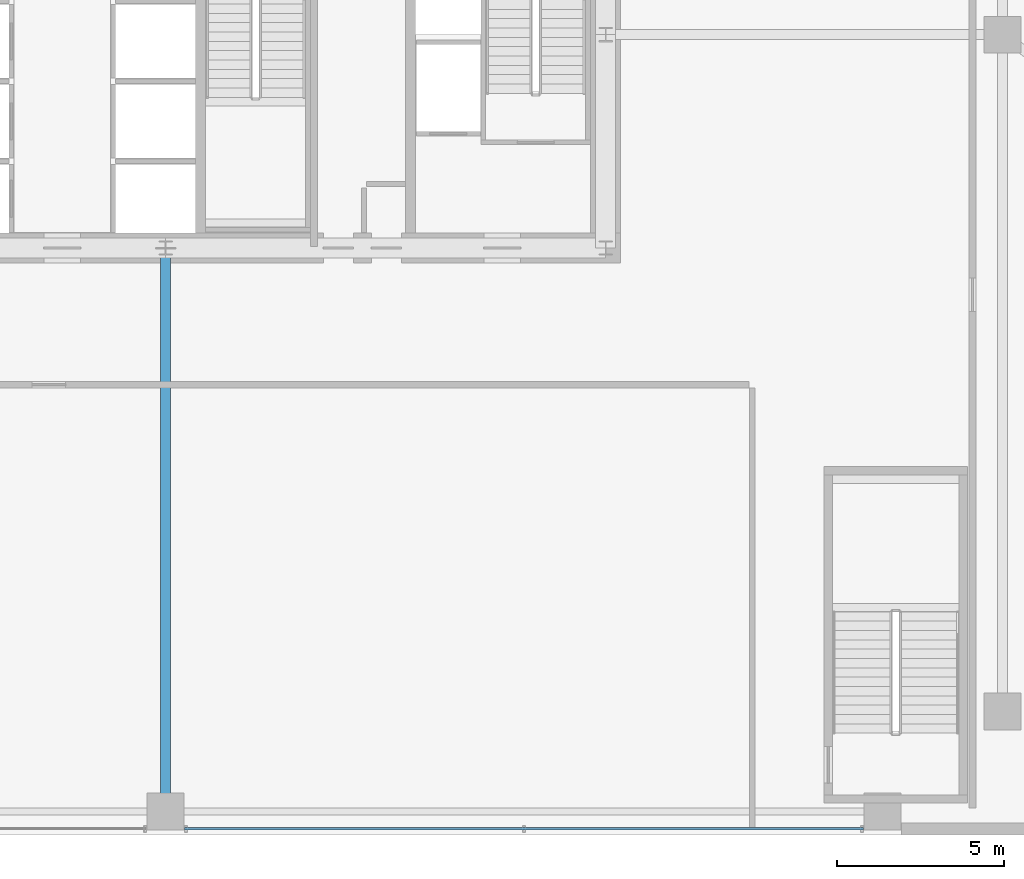
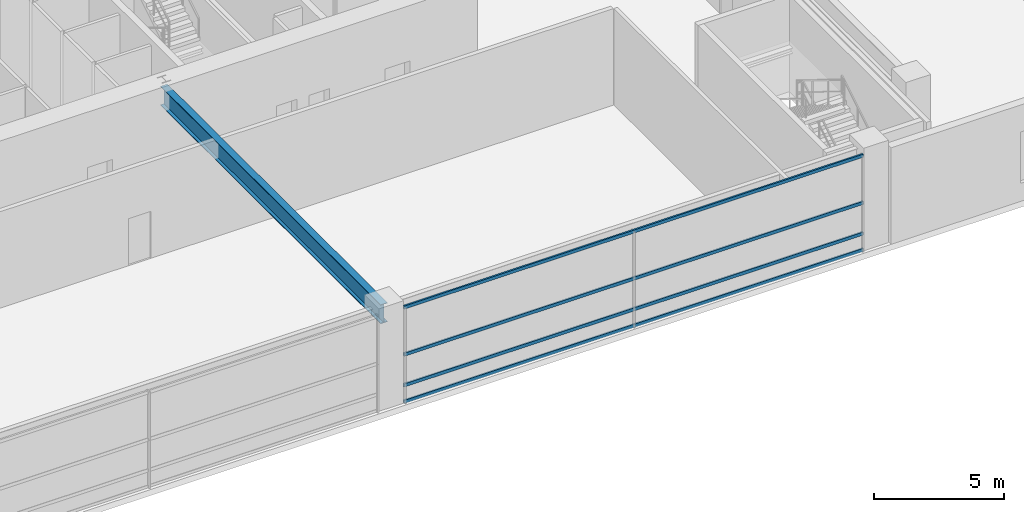
# One storey, part 14 of 38: 4 members, 1 beam, 1 element without a shape of its own.
"""IFC4 building model written with IfcOpenShell, lengths in metres."""

import ifcopenshell
import ifcopenshell.guid

model = None  # the IFC model being written
_history = None  # IfcOwnerHistory: only IFC2X3 demands one
_inside = {}  # id of a spatial element -> (the spatial element, [elements in it])
_under = {}  # id of a project, library or spatial element -> (it, [spatial elements below it])
_declared = {}  # id of a project -> (the project, [libraries it declares])
_typed = {}  # id of a type object -> (the type object, [elements of that type])
_made_of = {}  # id of a material, layer set ... -> (it, [elements and type objects made of it])


def new_model(schema):
    """Start an empty IFC model of exactly this schema.

    Asked for "IFC4X3", IfcOpenShell would pick the latest addendum, in which some entities
    have other attributes; the version numbers below select the first issue.
    IFC2X3 requires an IfcOwnerHistory on every rooted entity: one is made here for all.
    """
    global model, _history
    if schema == "IFC4X3":
        model = ifcopenshell.file(schema_version=(4, 3, 0, 0))
    else:
        model = ifcopenshell.file(schema=schema)
    _inside.clear()
    _under.clear()
    _declared.clear()
    _typed.clear()
    _made_of.clear()
    _history = None
    if model.schema == "IFC2X3":
        org = make("IfcOrganization", Name="unknown")
        user = make(
            "IfcPersonAndOrganization",
            ThePerson=make("IfcPerson", FamilyName="unknown"),
            TheOrganization=org,
        )
        app = make(
            "IfcApplication",
            ApplicationDeveloper=org,
            Version="unknown",
            ApplicationFullName="unknown",
            ApplicationIdentifier="unknown",
        )
        _history = make(
            "IfcOwnerHistory",
            OwningUser=user,
            OwningApplication=app,
            ChangeAction="ADDED",
            CreationDate=0,
        )
    return model


def make(cls, **values):
    """One entity of the class cls with the attributes given. An attribute that is None is left unset."""
    return model.create_entity(
        cls, **{name: value for name, value in values.items() if value is not None}
    )


def rooted(cls, **values):
    """An entity with a GlobalId (a new one), such as an element, a storey or a relation."""
    return make(cls, GlobalId=ifcopenshell.guid.new(), OwnerHistory=_history, **values)


def si_unit(unit_type, name, prefix=None):
    """IfcSIUnit, for example si_unit("LENGTHUNIT", "METRE", prefix="MILLI")."""
    return make("IfcSIUnit", UnitType=unit_type, Prefix=prefix, Name=name)


def assignment(units):
    """IfcUnitAssignment: the units of a project."""
    return None if units is None else make("IfcUnitAssignment", Units=units)


def point(xyz):
    """IfcCartesianPoint."""
    return None if xyz is None else make("IfcCartesianPoint", Coordinates=xyz)


def direction(xyz):
    """IfcDirection."""
    return None if xyz is None else make("IfcDirection", DirectionRatios=xyz)


def frame(location, z_axis=None, x_axis=None):
    """IfcAxis2Placement3D, a coordinate frame: its origin and axes. An axis left out is left unset."""
    return make(
        "IfcAxis2Placement3D",
        Location=point(location),
        Axis=direction(z_axis),
        RefDirection=direction(x_axis),
    )


def frame_2d(location, x_axis=None):
    """IfcAxis2Placement2D, a coordinate frame in the plane: its origin and x axis."""
    return make(
        "IfcAxis2Placement2D", Location=point(location), RefDirection=direction(x_axis)
    )


def origin():
    """The frame at (0, 0, 0) with its axes left unset."""
    return frame((0.0, 0.0, 0.0))


def origin_2d():
    """The frame at (0, 0) in the plane with its x axis left unset."""
    return frame_2d((0.0, 0.0))


def place(relative_to, where):
    """IfcLocalPlacement: puts the frame where relative to a parent placement (None: the world)."""
    return make(
        "IfcLocalPlacement", PlacementRelTo=relative_to, RelativePlacement=where
    )


def context(
    kind, dimensions, precision=None, world=None, true_north=None, identifier=None
):
    """IfcGeometricRepresentationContext, for example the 3D "Model" context."""
    return make(
        "IfcGeometricRepresentationContext",
        ContextIdentifier=identifier,
        ContextType=kind,
        CoordinateSpaceDimension=dimensions,
        Precision=precision,
        WorldCoordinateSystem=world,
        TrueNorth=true_north,
    )


def subcontext(parent, identifier, kind, view, scale=None):
    """IfcGeometricRepresentationSubContext, for example "Body" below "Model"."""
    return make(
        "IfcGeometricRepresentationSubContext",
        ContextIdentifier=identifier,
        ContextType=kind,
        ParentContext=parent,
        TargetScale=scale,
        TargetView=view,
    )


def project(units=None, contexts=None):
    """IfcProject with its units and contexts."""
    return rooted(
        "IfcProject",
        Name="project",
        RepresentationContexts=contexts,
        UnitsInContext=assignment(units),
    )


def spatial(cls, under=None, at=None, **own):
    """A site, building, storey or space (cls), placed at a placement, below another one or the project."""
    s = rooted(cls, ObjectPlacement=at, **own)
    if under is not None:
        _under.setdefault(under.id(), (under, []))[1].append(s)
    return s


def profile(cls, at=None, kind="AREA", **sizes):
    """A parametric profile (cls). Its sizes go by their IFC names, for example OverallWidth=200.0."""
    return make(cls, ProfileType=kind, Position=at, **sizes)


def hollow_rectangle(**sizes):
    """IfcRectangleHollowProfileDef."""
    return profile("IfcRectangleHollowProfileDef", **sizes)


def i_section(**sizes):
    """IfcIShapeProfileDef."""
    return profile("IfcIShapeProfileDef", **sizes)


def extrude(swept, where, along, depth):
    """IfcExtrudedAreaSolid: the profile swept, set in the frame where, extruded along a direction by depth."""
    return make(
        "IfcExtrudedAreaSolid",
        SweptArea=swept,
        Position=where,
        ExtrudedDirection=direction(along),
        Depth=depth,
    )


def shape(context_of_items, identifier, shape_type, items):
    """IfcShapeRepresentation: the items that make up one representation, for example the "Body"."""
    return make(
        "IfcShapeRepresentation",
        ContextOfItems=context_of_items,
        RepresentationIdentifier=identifier,
        RepresentationType=shape_type,
        Items=items,
    )


def source(mapping_origin, context_of_items, identifier, shape_type, items):
    """IfcRepresentationMap: a shape defined once, which mapped items show again and again."""
    return make(
        "IfcRepresentationMap",
        MappingOrigin=mapping_origin,
        MappedRepresentation=shape(context_of_items, identifier, shape_type, items),
    )


def transform(
    local_origin,
    x_axis=None,
    y_axis=None,
    z_axis=None,
    scale=None,
    scale2=None,
    scale3=None,
    uniform=True,
):
    """IfcCartesianTransformationOperator3D, or its non-uniform kind. x_axis, y_axis, z_axis: its Axis1, 2, 3."""
    if uniform:
        return make(
            "IfcCartesianTransformationOperator3D",
            Axis1=direction(x_axis),
            Axis2=direction(y_axis),
            LocalOrigin=point(local_origin),
            Scale=scale,
            Axis3=direction(z_axis),
        )
    return make(
        "IfcCartesianTransformationOperator3DnonUniform",
        Axis1=direction(x_axis),
        Axis2=direction(y_axis),
        LocalOrigin=point(local_origin),
        Scale=scale,
        Axis3=direction(z_axis),
        Scale2=scale2,
        Scale3=scale3,
    )


def mapped(mapping_source, mapping_target):
    """IfcMappedItem: shows the shape of a source again, moved by a transform."""
    return make(
        "IfcMappedItem", MappingSource=mapping_source, MappingTarget=mapping_target
    )


def material(Name=None, Category=None):
    """IfcMaterial."""
    return make("IfcMaterial", Name=Name, Category=Category)


def layer(
    of_material, thickness, ventilated=None, Name=None, Category=None, Priority=None
):
    """IfcMaterialLayer: one layer of a wall or slab, of a material (None: an air gap)."""
    return make(
        "IfcMaterialLayer",
        Material=of_material,
        LayerThickness=thickness,
        IsVentilated=ventilated,
        Name=Name,
        Category=Category,
        Priority=Priority,
    )


def layer_set(layers, Name=None):
    """IfcMaterialLayerSet."""
    return make("IfcMaterialLayerSet", MaterialLayers=layers, LayerSetName=Name)


def material_profile(
    of_material, cross_section, Name=None, Category=None, Priority=None
):
    """IfcMaterialProfile: a cross section and its material."""
    return make(
        "IfcMaterialProfile",
        Name=Name,
        Material=of_material,
        Profile=cross_section,
        Priority=Priority,
        Category=Category,
    )


def profile_set(profiles, Name=None, composite=None):
    """IfcMaterialProfileSet."""
    return make(
        "IfcMaterialProfileSet",
        Name=Name,
        MaterialProfiles=profiles,
        CompositeProfile=composite,
    )


def made_of(thing, what):
    """Note that an element or type object is made of a material, layer set ...; save() writes the relation."""
    if what is not None:
        _made_of.setdefault(what.id(), (what, []))[1].append(thing)
    return thing


def type_object(cls, material=None, **own):
    """A type object (cls), such as IfcWallType, which elements share."""
    return made_of(rooted(cls, **own), material)


def element(
    cls,
    number,
    at=None,
    inside=None,
    cuts=None,
    type_object=None,
    material=None,
    context=None,
    identifier="Body",
    shape_type=None,
    held_by="IfcProductDefinitionShape",
    body=None,
    shapes=None,
    **own,
):
    """One element of the class cls, such as IfcWall. Its Tag is "e" and its number.

    at: its placement. inside: the storey or other place that contains it. cuts: it is an
    opening in that element (IfcRelVoidsElement). A single representation is given by context,
    identifier, shape_type and body (its items); several are given by shapes. held_by: the class
    of the entity that holds the representations. save() writes the other relations.
    """
    e = rooted(cls, Tag="e%d" % number, ObjectPlacement=at, **own)
    if body is not None:
        shapes = [shape(context, identifier, shape_type, body)]
    if shapes is not None:
        e.Representation = make(held_by, Representations=shapes)
    if inside is not None:
        _inside.setdefault(inside.id(), (inside, []))[1].append(e)
    if cuts is not None:
        rooted(
            "IfcRelVoidsElement", RelatingBuildingElement=cuts, RelatedOpeningElement=e
        )
    if type_object is not None:
        _typed.setdefault(type_object.id(), (type_object, []))[1].append(e)
    return made_of(e, material)


def aggregate(whole, parts):
    """IfcRelAggregates: a whole, such as a stair, and the parts it consists of."""
    return rooted("IfcRelAggregates", RelatingObject=whole, RelatedObjects=parts)


def save(model, path):
    """Write the relations noted so far, then the file.

    IfcRelAggregates (storeys below a building ...), IfcRelContainedInSpatialStructure (elements
    in a storey), IfcRelDefinesByType, IfcRelAssociatesMaterial and IfcRelDeclares: one each for
    every whole, place, type object, material and project.
    """
    for whole, parts in _under.values():
        aggregate(whole, parts)
    for where, things in _inside.values():
        rooted(
            "IfcRelContainedInSpatialStructure",
            RelatedElements=things,
            RelatingStructure=where,
        )
    for kind, things in _typed.values():
        rooted("IfcRelDefinesByType", RelatedObjects=things, RelatingType=kind)
    for what, things in _made_of.values():
        rooted("IfcRelAssociatesMaterial", RelatedObjects=things, RelatingMaterial=what)
    for by, libraries in _declared.values():
        rooted("IfcRelDeclares", RelatingContext=by, RelatedDefinitions=libraries)
    model.write(path)


model = new_model("IFC4")

# Units and contexts
model_context = context("Model", 3, precision=1e-05, world=origin(), true_north=direction((0.0, 1.0)))
body_context = subcontext(model_context, "Body", "Model", "MODEL_VIEW")
ifc_project = project(units=[si_unit("LENGTHUNIT", "METRE"), si_unit("AREAUNIT", "SQUARE_METRE"), si_unit("VOLUMEUNIT", "CUBIC_METRE"), si_unit("PLANEANGLEUNIT", "RADIAN"), si_unit("MASSUNIT", "GRAM", prefix="KILO"), si_unit("THERMODYNAMICTEMPERATUREUNIT", "KELVIN"), si_unit("POWERUNIT", "WATT")], contexts=[model_context])

# Site, building, storey
site_placement = place(None, origin())
site = spatial("IfcSite", under=ifc_project, at=site_placement, CompositionType="ELEMENT")
building_placement = place(site_placement, origin())
building = spatial("IfcBuilding", under=site, at=building_placement, Name="Yuzanri Waterfront Tower", CompositionType="ELEMENT")
storey_placement = place(building_placement, frame((0.0, 0.0, 10.199951171875)))
storey = spatial("IfcBuildingStorey", under=building, at=storey_placement, Name="L03", CompositionType="ELEMENT", Elevation=10.199951171875)

# Beam
ifc_material_1 = material(Name="Steel Q355B", Category="steel")
ifc_material_profile_1 = material_profile(ifc_material_1, i_section(OverallWidth=0.300048828125, OverallDepth=0.89990234375, WebThickness=0.01611328125, FlangeThickness=0.028076171875, at=origin_2d()), Name="HN 900x300x16x28")
ifc_profile_set_1 = profile_set([ifc_material_profile_1], Name="Steel Q355B")
beam_type = type_object("IfcBeamType", Name="Primary Podium Girder Q355B HN 900x300", PredefinedType="BEAM", material=ifc_profile_set_1)
shared_shape_1 = source(origin(), body_context, "Body", "SweptSolid", [
    extrude(i_section(OverallWidth=0.300048828125, OverallDepth=0.89990234375, WebThickness=0.01611328125, FlangeThickness=0.028076171875, at=origin_2d()), origin(), (0.0, 0.0, 1.0), 16.89990234375),
])
beam_placement = place(storey_placement, frame((37.0, 2.5, 4.070068359375), z_axis=(0.0, 1.0, 0.0), x_axis=(-1.0, 0.0, 0.0)))
element("IfcBeam", 1, at=beam_placement, inside=storey, type_object=beam_type, Name="L03 South Core Link Girder", PredefinedType="BEAM", context=body_context, shape_type="MappedRepresentation", body=[
    mapped(shared_shape_1, transform((0.0, 0.0, 0.0), scale=1.0)),
])

# Curtain wall, members
ifc_material_2 = material(Name="Anodized Architectural Bronze", Category="metal")
ifc_layer = layer(ifc_material_2, 0.159912109375)
ifc_layer_set = layer_set([ifc_layer], Name="Anodized Architectural Bronze")
curtain_wall_type = type_object("IfcCurtainWallType", Name="Anodized Bronze Podium Waterfront Double-Height Unitized Curtain Wall 8400", PredefinedType="NOTDEFINED", material=ifc_layer_set)
curtain_wall_placement = place(storey_placement, origin())
curtain_wall = element("IfcCurtainWall", 2, at=curtain_wall_placement, inside=storey, type_object=curtain_wall_type, Name="L03 Curtain Wall CW-L03-S2", PredefinedType="NOTDEFINED")
ifc_material_3 = material(Name="Anodized Architectural Bronze", Category="metal")
ifc_material_profile_2 = material_profile(ifc_material_3, hollow_rectangle(XDim=0.074951171875, YDim=0.14990234375, WallThickness=0.00390625, at=origin_2d()), Name="CWT 75x150")
ifc_profile_set_2 = profile_set([ifc_material_profile_2], Name="Anodized Architectural Bronze")
member_type = type_object("IfcMemberType", Name="Anodized Bronze Primary Curtain-Wall Transom 75x150", PredefinedType="USERDEFINED", material=ifc_profile_set_2)
shared_shape_2 = source(origin(), body_context, "Body", "SweptSolid", [
    extrude(hollow_rectangle(XDim=0.074951171875, YDim=0.14990234375, WallThickness=0.00390625, at=origin_2d()), origin(), (0.0, 0.0, 1.0), 20.35986328125),
])
member_1_placement = place(storey_placement, frame((37.570068359375, 1.97998046875, 0.050048828125), z_axis=(1.0, 0.0, 0.0), x_axis=(0.0, 1.0, 0.0)))
member_1 = element("IfcMember", 3, at=member_1_placement, type_object=member_type, Name="CW-L03-S2 Transom 1", ObjectType="TRANSOM", PredefinedType="USERDEFINED", context=body_context, shape_type="MappedRepresentation", body=[
    mapped(shared_shape_2, transform((0.0, 0.0, 0.0), scale=1.0)),
])
member_2_placement = place(storey_placement, frame((37.570068359375, 1.97998046875, 0.820068359375), z_axis=(1.0, 0.0, 0.0), x_axis=(0.0, 1.0, 0.0)))
member_2 = element("IfcMember", 4, at=member_2_placement, type_object=member_type, Name="CW-L03-S2 Transom 2", ObjectType="TRANSOM", PredefinedType="USERDEFINED", context=body_context, shape_type="MappedRepresentation", body=[
    mapped(shared_shape_2, transform((0.0, 0.0, 0.0), scale=1.0)),
])
member_3_placement = place(storey_placement, frame((37.570068359375, 1.97998046875, 2.260009765625), z_axis=(1.0, 0.0, 0.0), x_axis=(0.0, 1.0, 0.0)))
member_3 = element("IfcMember", 5, at=member_3_placement, type_object=member_type, Name="CW-L03-S2 Transom 3", ObjectType="TRANSOM", PredefinedType="USERDEFINED", context=body_context, shape_type="MappedRepresentation", body=[
    mapped(shared_shape_2, transform((0.0, 0.0, 0.0), scale=1.0)),
])
member_4_placement = place(storey_placement, frame((37.570068359375, 1.97998046875, 4.469970703125), z_axis=(1.0, 0.0, 0.0), x_axis=(0.0, 1.0, 0.0)))
member_4 = element("IfcMember", 6, at=member_4_placement, type_object=member_type, Name="CW-L03-S2 Transom 4", ObjectType="TRANSOM", PredefinedType="USERDEFINED", context=body_context, shape_type="MappedRepresentation", body=[
    mapped(shared_shape_2, transform((0.0, 0.0, 0.0), scale=1.0)),
])
aggregate(curtain_wall, [member_1, member_2, member_3, member_4])

save(model, "model.ifc")
